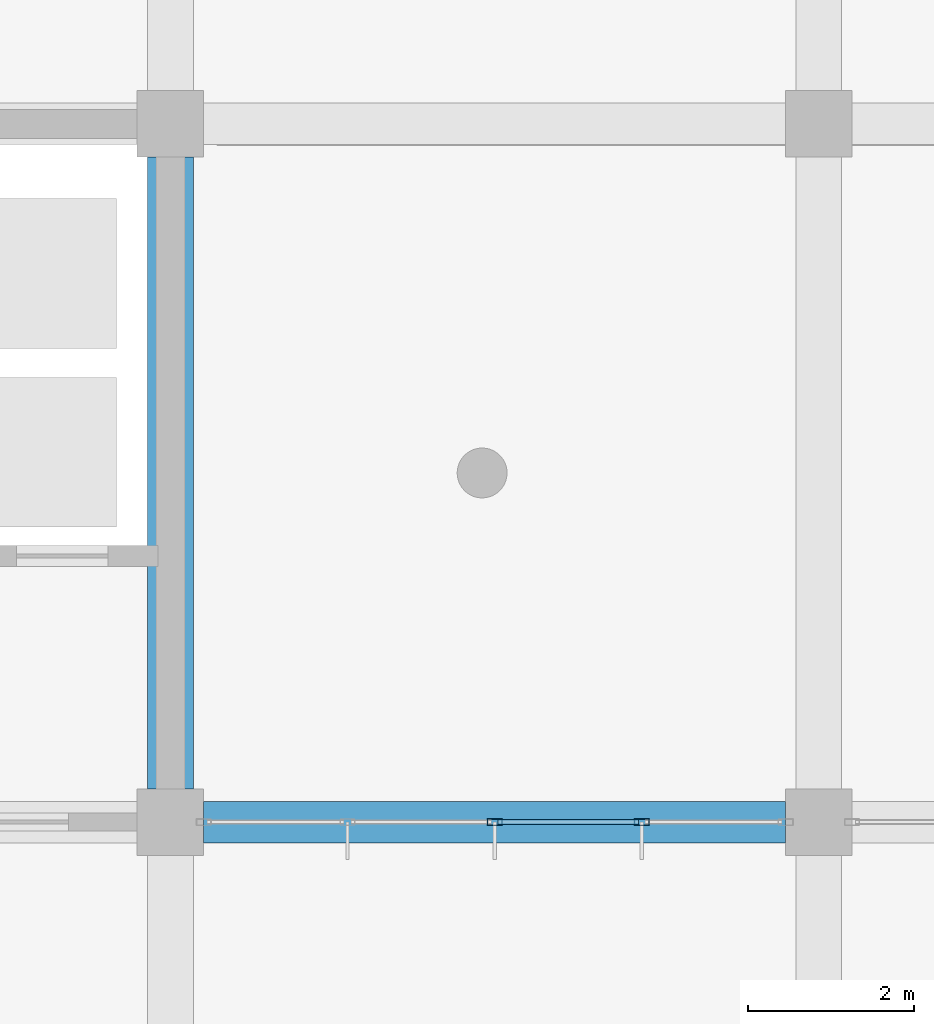
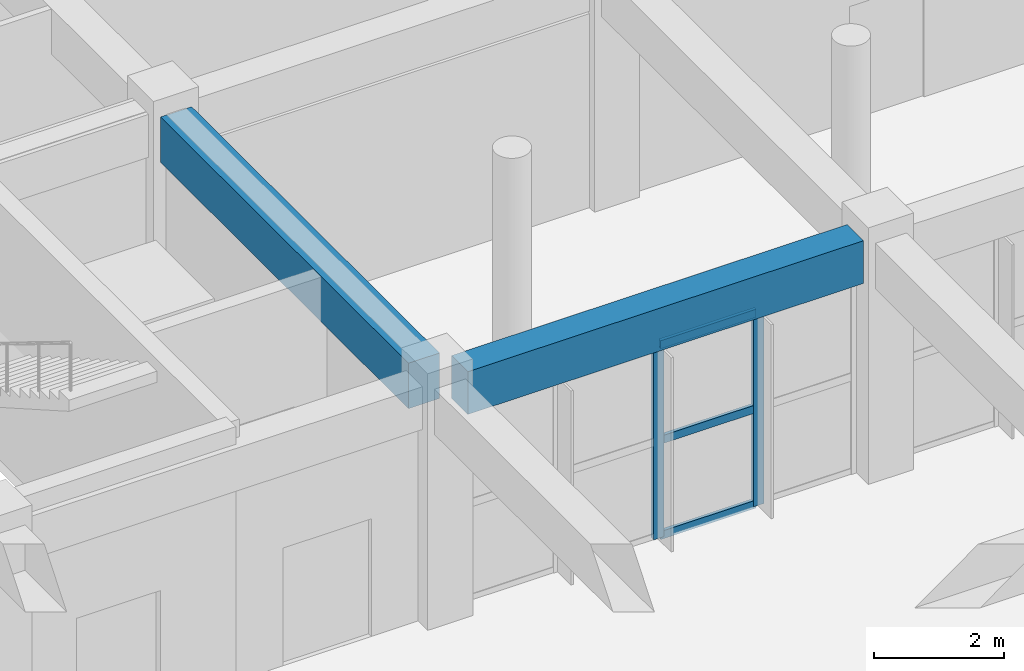
# One storey, part 19 of 139: 5 members, 2 beams, 1 element without a shape of its own.
"""IFC4 building model written with IfcOpenShell, lengths in metres."""

import ifcopenshell
import ifcopenshell.guid

model = None  # the IFC model being written
_history = None  # IfcOwnerHistory: only IFC2X3 demands one
_inside = {}  # id of a spatial element -> (the spatial element, [elements in it])
_under = {}  # id of a project, library or spatial element -> (it, [spatial elements below it])
_declared = {}  # id of a project -> (the project, [libraries it declares])
_typed = {}  # id of a type object -> (the type object, [elements of that type])
_made_of = {}  # id of a material, layer set ... -> (it, [elements and type objects made of it])


def new_model(schema):
    """Start an empty IFC model of exactly this schema.

    Asked for "IFC4X3", IfcOpenShell would pick the latest addendum, in which some entities
    have other attributes; the version numbers below select the first issue.
    IFC2X3 requires an IfcOwnerHistory on every rooted entity: one is made here for all.
    """
    global model, _history
    if schema == "IFC4X3":
        model = ifcopenshell.file(schema_version=(4, 3, 0, 0))
    else:
        model = ifcopenshell.file(schema=schema)
    _inside.clear()
    _under.clear()
    _declared.clear()
    _typed.clear()
    _made_of.clear()
    _history = None
    if model.schema == "IFC2X3":
        org = make("IfcOrganization", Name="unknown")
        user = make(
            "IfcPersonAndOrganization",
            ThePerson=make("IfcPerson", FamilyName="unknown"),
            TheOrganization=org,
        )
        app = make(
            "IfcApplication",
            ApplicationDeveloper=org,
            Version="unknown",
            ApplicationFullName="unknown",
            ApplicationIdentifier="unknown",
        )
        _history = make(
            "IfcOwnerHistory",
            OwningUser=user,
            OwningApplication=app,
            ChangeAction="ADDED",
            CreationDate=0,
        )
    return model


def make(cls, **values):
    """One entity of the class cls with the attributes given. An attribute that is None is left unset."""
    return model.create_entity(
        cls, **{name: value for name, value in values.items() if value is not None}
    )


def rooted(cls, **values):
    """An entity with a GlobalId (a new one), such as an element, a storey or a relation."""
    return make(cls, GlobalId=ifcopenshell.guid.new(), OwnerHistory=_history, **values)


def si_unit(unit_type, name, prefix=None):
    """IfcSIUnit, for example si_unit("LENGTHUNIT", "METRE", prefix="MILLI")."""
    return make("IfcSIUnit", UnitType=unit_type, Prefix=prefix, Name=name)


def assignment(units):
    """IfcUnitAssignment: the units of a project."""
    return None if units is None else make("IfcUnitAssignment", Units=units)


def point(xyz):
    """IfcCartesianPoint."""
    return None if xyz is None else make("IfcCartesianPoint", Coordinates=xyz)


def direction(xyz):
    """IfcDirection."""
    return None if xyz is None else make("IfcDirection", DirectionRatios=xyz)


def frame(location, z_axis=None, x_axis=None):
    """IfcAxis2Placement3D, a coordinate frame: its origin and axes. An axis left out is left unset."""
    return make(
        "IfcAxis2Placement3D",
        Location=point(location),
        Axis=direction(z_axis),
        RefDirection=direction(x_axis),
    )


def frame_2d(location, x_axis=None):
    """IfcAxis2Placement2D, a coordinate frame in the plane: its origin and x axis."""
    return make(
        "IfcAxis2Placement2D", Location=point(location), RefDirection=direction(x_axis)
    )


def origin():
    """The frame at (0, 0, 0) with its axes left unset."""
    return frame((0.0, 0.0, 0.0))


def origin_2d():
    """The frame at (0, 0) in the plane with its x axis left unset."""
    return frame_2d((0.0, 0.0))


def place(relative_to, where):
    """IfcLocalPlacement: puts the frame where relative to a parent placement (None: the world)."""
    return make(
        "IfcLocalPlacement", PlacementRelTo=relative_to, RelativePlacement=where
    )


def context(
    kind, dimensions, precision=None, world=None, true_north=None, identifier=None
):
    """IfcGeometricRepresentationContext, for example the 3D "Model" context."""
    return make(
        "IfcGeometricRepresentationContext",
        ContextIdentifier=identifier,
        ContextType=kind,
        CoordinateSpaceDimension=dimensions,
        Precision=precision,
        WorldCoordinateSystem=world,
        TrueNorth=true_north,
    )


def subcontext(parent, identifier, kind, view, scale=None):
    """IfcGeometricRepresentationSubContext, for example "Body" below "Model"."""
    return make(
        "IfcGeometricRepresentationSubContext",
        ContextIdentifier=identifier,
        ContextType=kind,
        ParentContext=parent,
        TargetScale=scale,
        TargetView=view,
    )


def project(units=None, contexts=None):
    """IfcProject with its units and contexts."""
    return rooted(
        "IfcProject",
        Name="project",
        RepresentationContexts=contexts,
        UnitsInContext=assignment(units),
    )


def spatial(cls, under=None, at=None, **own):
    """A site, building, storey or space (cls), placed at a placement, below another one or the project."""
    s = rooted(cls, ObjectPlacement=at, **own)
    if under is not None:
        _under.setdefault(under.id(), (under, []))[1].append(s)
    return s


def profile(cls, at=None, kind="AREA", **sizes):
    """A parametric profile (cls). Its sizes go by their IFC names, for example OverallWidth=200.0."""
    return make(cls, ProfileType=kind, Position=at, **sizes)


def rectangle(**sizes):
    """IfcRectangleProfileDef."""
    return profile("IfcRectangleProfileDef", **sizes)


def hollow_rectangle(**sizes):
    """IfcRectangleHollowProfileDef."""
    return profile("IfcRectangleHollowProfileDef", **sizes)


def extrude(swept, where, along, depth):
    """IfcExtrudedAreaSolid: the profile swept, set in the frame where, extruded along a direction by depth."""
    return make(
        "IfcExtrudedAreaSolid",
        SweptArea=swept,
        Position=where,
        ExtrudedDirection=direction(along),
        Depth=depth,
    )


def shape(context_of_items, identifier, shape_type, items):
    """IfcShapeRepresentation: the items that make up one representation, for example the "Body"."""
    return make(
        "IfcShapeRepresentation",
        ContextOfItems=context_of_items,
        RepresentationIdentifier=identifier,
        RepresentationType=shape_type,
        Items=items,
    )


def material(Name=None, Category=None):
    """IfcMaterial."""
    return make("IfcMaterial", Name=Name, Category=Category)


def layer(
    of_material, thickness, ventilated=None, Name=None, Category=None, Priority=None
):
    """IfcMaterialLayer: one layer of a wall or slab, of a material (None: an air gap)."""
    return make(
        "IfcMaterialLayer",
        Material=of_material,
        LayerThickness=thickness,
        IsVentilated=ventilated,
        Name=Name,
        Category=Category,
        Priority=Priority,
    )


def layer_set(layers, Name=None):
    """IfcMaterialLayerSet."""
    return make("IfcMaterialLayerSet", MaterialLayers=layers, LayerSetName=Name)


def material_profile(
    of_material, cross_section, Name=None, Category=None, Priority=None
):
    """IfcMaterialProfile: a cross section and its material."""
    return make(
        "IfcMaterialProfile",
        Name=Name,
        Material=of_material,
        Profile=cross_section,
        Priority=Priority,
        Category=Category,
    )


def profile_set(profiles, Name=None, composite=None):
    """IfcMaterialProfileSet."""
    return make(
        "IfcMaterialProfileSet",
        Name=Name,
        MaterialProfiles=profiles,
        CompositeProfile=composite,
    )


def made_of(thing, what):
    """Note that an element or type object is made of a material, layer set ...; save() writes the relation."""
    if what is not None:
        _made_of.setdefault(what.id(), (what, []))[1].append(thing)
    return thing


def type_object(cls, material=None, **own):
    """A type object (cls), such as IfcWallType, which elements share."""
    return made_of(rooted(cls, **own), material)


def element(
    cls,
    number,
    at=None,
    inside=None,
    cuts=None,
    type_object=None,
    material=None,
    context=None,
    identifier="Body",
    shape_type=None,
    held_by="IfcProductDefinitionShape",
    body=None,
    shapes=None,
    **own,
):
    """One element of the class cls, such as IfcWall. Its Tag is "e" and its number.

    at: its placement. inside: the storey or other place that contains it. cuts: it is an
    opening in that element (IfcRelVoidsElement). A single representation is given by context,
    identifier, shape_type and body (its items); several are given by shapes. held_by: the class
    of the entity that holds the representations. save() writes the other relations.
    """
    e = rooted(cls, Tag="e%d" % number, ObjectPlacement=at, **own)
    if body is not None:
        shapes = [shape(context, identifier, shape_type, body)]
    if shapes is not None:
        e.Representation = make(held_by, Representations=shapes)
    if inside is not None:
        _inside.setdefault(inside.id(), (inside, []))[1].append(e)
    if cuts is not None:
        rooted(
            "IfcRelVoidsElement", RelatingBuildingElement=cuts, RelatedOpeningElement=e
        )
    if type_object is not None:
        _typed.setdefault(type_object.id(), (type_object, []))[1].append(e)
    return made_of(e, material)


def aggregate(whole, parts):
    """IfcRelAggregates: a whole, such as a stair, and the parts it consists of."""
    return rooted("IfcRelAggregates", RelatingObject=whole, RelatedObjects=parts)


def save(model, path):
    """Write the relations noted so far, then the file.

    IfcRelAggregates (storeys below a building ...), IfcRelContainedInSpatialStructure (elements
    in a storey), IfcRelDefinesByType, IfcRelAssociatesMaterial and IfcRelDeclares: one each for
    every whole, place, type object, material and project.
    """
    for whole, parts in _under.values():
        aggregate(whole, parts)
    for where, things in _inside.values():
        rooted(
            "IfcRelContainedInSpatialStructure",
            RelatedElements=things,
            RelatingStructure=where,
        )
    for kind, things in _typed.values():
        rooted("IfcRelDefinesByType", RelatedObjects=things, RelatingType=kind)
    for what, things in _made_of.values():
        rooted("IfcRelAssociatesMaterial", RelatedObjects=things, RelatingMaterial=what)
    for by, libraries in _declared.values():
        rooted("IfcRelDeclares", RelatingContext=by, RelatedDefinitions=libraries)
    model.write(path)


model = new_model("IFC4")

# Units and contexts
model_context = context("Model", 3, precision=1e-05, world=origin(), true_north=direction((0.0, 1.0)))
body_context = subcontext(model_context, "Body", "Model", "MODEL_VIEW")
ifc_project = project(units=[si_unit("LENGTHUNIT", "METRE"), si_unit("AREAUNIT", "SQUARE_METRE"), si_unit("VOLUMEUNIT", "CUBIC_METRE"), si_unit("PLANEANGLEUNIT", "RADIAN"), si_unit("MASSUNIT", "GRAM", prefix="KILO")], contexts=[model_context])

# Site, building, storey
site_placement = place(None, origin())
site = spatial("IfcSite", under=ifc_project, at=site_placement, CompositionType="ELEMENT")
building_placement = place(site_placement, origin())
building = spatial("IfcBuilding", under=site, at=building_placement, Name="Zizhar Promenade General Hospital", CompositionType="ELEMENT")
storey_placement = place(building_placement, origin())
storey = spatial("IfcBuildingStorey", under=building, at=storey_placement, Name="L00", CompositionType="ELEMENT", Elevation=0.0)

# Beams
ifc_material_1 = material(Name="Concrete C35/45", Category="concrete")
ifc_material_profile_1 = material_profile(ifc_material_1, rectangle(XDim=0.5, YDim=0.800048828125, at=origin_2d()))
ifc_profile_set_1 = profile_set([ifc_material_profile_1], Name="Concrete C35/45")
beam_type_1 = type_object("IfcBeamType", Name="BM-RC-500x800", PredefinedType="BEAM", material=ifc_profile_set_1)
beam_1_placement = place(storey_placement, frame((101.800048828125, 8.39990234375, 4.070068359375), z_axis=(1.0, 0.0, 0.0), x_axis=(0.0, 1.0, 0.0)))
element("IfcBeam", 1, at=beam_1_placement, inside=storey, type_object=beam_type_1, Name="Grid Beam X L00 (13-1)", PredefinedType="BEAM", context=body_context, shape_type="SweptSolid", body=[
    extrude(rectangle(XDim=0.5, YDim=0.800048828125, at=origin_2d()), origin(), (0.0, 0.0, 1.0), 7.0),
])
ifc_material_2 = material(Name="Concrete C35/45", Category="concrete")
ifc_material_profile_2 = material_profile(ifc_material_2, rectangle(XDim=0.550048828125, YDim=0.85009765625, at=origin_2d()))
ifc_profile_set_2 = profile_set([ifc_material_profile_2], Name="Concrete C35/45")
beam_type_2 = type_object("IfcBeamType", Name="BM-RC-550x850", PredefinedType="BEAM", material=ifc_profile_set_2)
beam_2_placement = place(storey_placement, frame((101.39990234375, 8.800048828125, 4.044921875), z_axis=(0.0, 1.0, 0.0), x_axis=(-1.0, 0.0, 0.0)))
element("IfcBeam", 2, at=beam_2_placement, inside=storey, type_object=beam_type_2, Name="Grid Beam Y L00 (13-1)", PredefinedType="BEAM", context=body_context, shape_type="SweptSolid", body=[
    extrude(rectangle(XDim=0.550048828125, YDim=0.85009765625, at=origin_2d()), origin(), (0.0, 0.0, 1.0), 7.599853515625),
])

# Curtain wall, members
ifc_material_3 = material(Name="Anodised aluminium 6063-T6 and low-E glass", Category="aluminium")
ifc_layer = layer(ifc_material_3, 0.159912109375)
ifc_layer_set = layer_set([ifc_layer], Name="Anodised aluminium 6063-T6 and low-E glass")
curtain_wall_type = type_object("IfcCurtainWallType", Name="CW-HALL-S", PredefinedType="NOTDEFINED", material=ifc_layer_set)
curtain_wall_placement = place(storey_placement, origin())
curtain_wall = element("IfcCurtainWall", 3, at=curtain_wall_placement, inside=storey, type_object=curtain_wall_type, Name="Promenade Colonnade Curtain Wall Bay 12", PredefinedType="NOTDEFINED")
ifc_material_4 = material(Name="Anodised aluminium 6063-T6", Category="aluminium")
ifc_material_profile_3 = material_profile(ifc_material_4, hollow_rectangle(XDim=0.080078125, YDim=0.179931640625, WallThickness=0.0048828125, at=origin_2d()))
ifc_profile_set_3 = profile_set([ifc_material_profile_3], Name="Anodised aluminium 6063-T6")
member_type_1 = type_object("IfcMemberType", Name="CWM-ALU-180x80", PredefinedType="MULLION", material=ifc_profile_set_3)
member_1_placement = place(storey_placement, frame((107.070068359375, 8.39990234375, 0.0), z_axis=(0.0, 0.0, 1.0), x_axis=(0.0, -1.0, 0.0)))
member_1 = element("IfcMember", 4, at=member_1_placement, type_object=member_type_1, Name="CW-01 mullion 2", PredefinedType="MULLION", context=body_context, shape_type="SweptSolid", body=[
    extrude(hollow_rectangle(XDim=0.080078125, YDim=0.179931640625, WallThickness=0.0048828125, at=origin_2d()), origin(), (0.0, 0.0, 1.0), 3.6298828125),
])
member_2_placement = place(storey_placement, frame((105.300048828125, 8.39990234375, 0.0), z_axis=(0.0, 0.0, 1.0), x_axis=(0.0, -1.0, 0.0)))
member_2 = element("IfcMember", 5, at=member_2_placement, type_object=member_type_1, Name="CW-01 mullion 3", PredefinedType="MULLION", context=body_context, shape_type="SweptSolid", body=[
    extrude(hollow_rectangle(XDim=0.080078125, YDim=0.179931640625, WallThickness=0.0048828125, at=origin_2d()), origin(), (0.0, 0.0, 1.0), 3.6298828125),
])
ifc_material_5 = material(Name="Anodised aluminium 6063-T6", Category="aluminium")
ifc_material_profile_4 = material_profile(ifc_material_5, hollow_rectangle(XDim=0.06005859375, YDim=0.14990234375, WallThickness=0.00390625, at=origin_2d()))
ifc_profile_set_4 = profile_set([ifc_material_profile_4], Name="Anodised aluminium 6063-T6")
member_type_2 = type_object("IfcMemberType", Name="CWT-ALU-150x60", PredefinedType="USERDEFINED", material=ifc_profile_set_4)
member_3_placement = place(storey_placement, frame((107.030029296875, 8.39990234375, 0.030029296875), z_axis=(-1.0, 0.0, 0.0), x_axis=(0.0, -1.0, 0.0)))
member_3 = element("IfcMember", 6, at=member_3_placement, type_object=member_type_2, Name="CW-01 transom 2.1", ObjectType="TRANSOM", PredefinedType="USERDEFINED", context=body_context, shape_type="SweptSolid", body=[
    extrude(hollow_rectangle(XDim=0.06005859375, YDim=0.14990234375, WallThickness=0.00390625, at=origin_2d()), origin(), (0.0, 0.0, 1.0), 1.68994140625),
])
member_4_placement = place(storey_placement, frame((107.030029296875, 8.39990234375, 1.81494140625), z_axis=(-1.0, 0.0, 0.0), x_axis=(0.0, -1.0, 0.0)))
member_4 = element("IfcMember", 7, at=member_4_placement, type_object=member_type_2, Name="CW-01 transom 2.2", ObjectType="TRANSOM", PredefinedType="USERDEFINED", context=body_context, shape_type="SweptSolid", body=[
    extrude(hollow_rectangle(XDim=0.06005859375, YDim=0.14990234375, WallThickness=0.00390625, at=origin_2d()), origin(), (0.0, 0.0, 1.0), 1.68994140625),
])
member_5_placement = place(storey_placement, frame((107.030029296875, 8.39990234375, 3.60009765625), z_axis=(-1.0, 0.0, 0.0), x_axis=(0.0, -1.0, 0.0)))
member_5 = element("IfcMember", 8, at=member_5_placement, type_object=member_type_2, Name="CW-01 transom 2.3", ObjectType="TRANSOM", PredefinedType="USERDEFINED", context=body_context, shape_type="SweptSolid", body=[
    extrude(hollow_rectangle(XDim=0.06005859375, YDim=0.14990234375, WallThickness=0.00390625, at=origin_2d()), origin(), (0.0, 0.0, 1.0), 1.68994140625),
])
aggregate(curtain_wall, [member_1, member_2, member_3, member_4, member_5])

save(model, "model.ifc")
